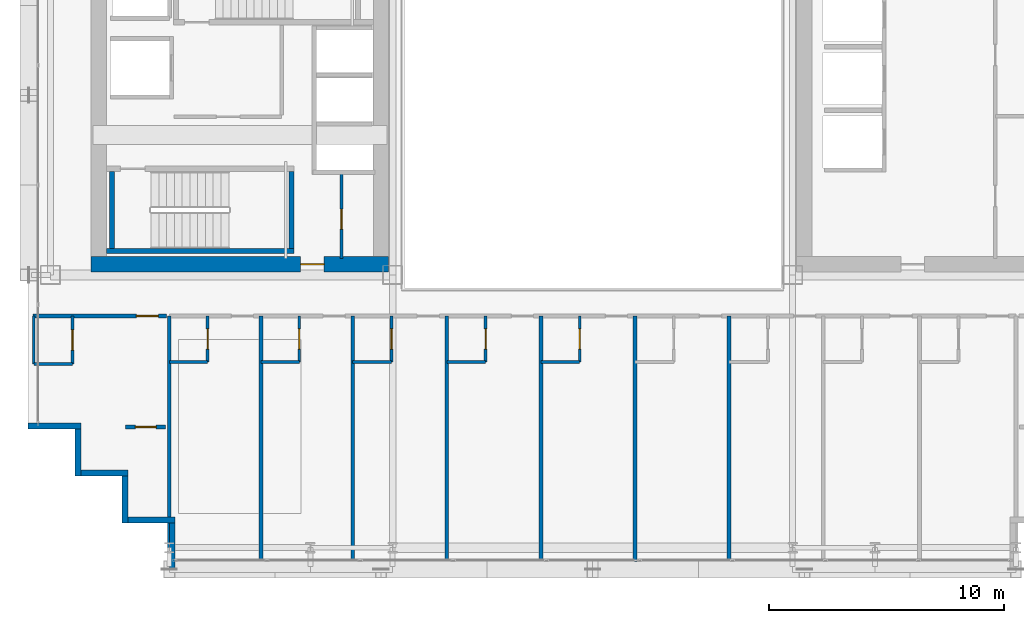
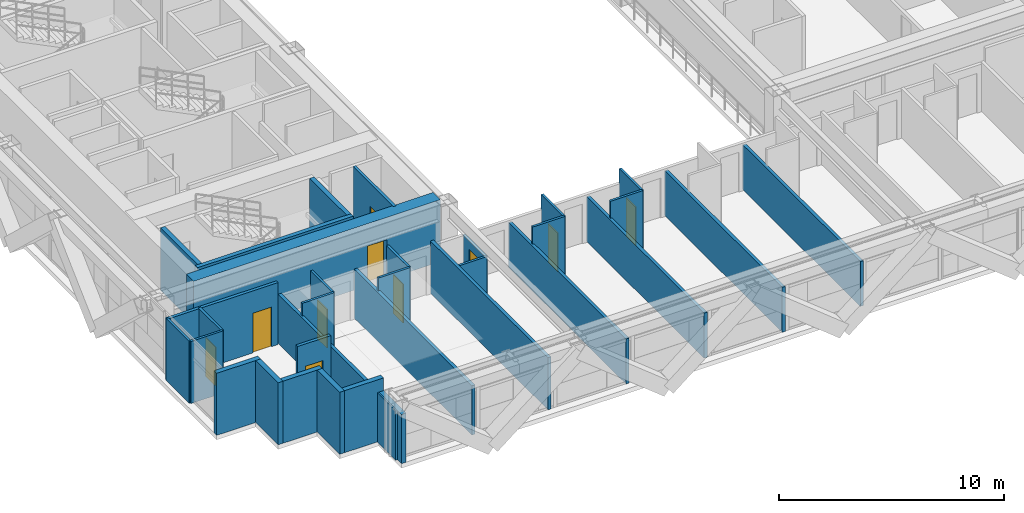
# One storey, part 27 of 36: 33 walls, 10 doors, 10 openings.
"""IFC4 building model written with IfcOpenShell, lengths in metres."""

import ifcopenshell
import ifcopenshell.guid

model = None  # the IFC model being written
_history = None  # IfcOwnerHistory: only IFC2X3 demands one
_inside = {}  # id of a spatial element -> (the spatial element, [elements in it])
_under = {}  # id of a project, library or spatial element -> (it, [spatial elements below it])
_declared = {}  # id of a project -> (the project, [libraries it declares])
_typed = {}  # id of a type object -> (the type object, [elements of that type])
_made_of = {}  # id of a material, layer set ... -> (it, [elements and type objects made of it])


def new_model(schema):
    """Start an empty IFC model of exactly this schema.

    Asked for "IFC4X3", IfcOpenShell would pick the latest addendum, in which some entities
    have other attributes; the version numbers below select the first issue.
    IFC2X3 requires an IfcOwnerHistory on every rooted entity: one is made here for all.
    """
    global model, _history
    if schema == "IFC4X3":
        model = ifcopenshell.file(schema_version=(4, 3, 0, 0))
    else:
        model = ifcopenshell.file(schema=schema)
    _inside.clear()
    _under.clear()
    _declared.clear()
    _typed.clear()
    _made_of.clear()
    _history = None
    if model.schema == "IFC2X3":
        org = make("IfcOrganization", Name="unknown")
        user = make(
            "IfcPersonAndOrganization",
            ThePerson=make("IfcPerson", FamilyName="unknown"),
            TheOrganization=org,
        )
        app = make(
            "IfcApplication",
            ApplicationDeveloper=org,
            Version="unknown",
            ApplicationFullName="unknown",
            ApplicationIdentifier="unknown",
        )
        _history = make(
            "IfcOwnerHistory",
            OwningUser=user,
            OwningApplication=app,
            ChangeAction="ADDED",
            CreationDate=0,
        )
    return model


def make(cls, **values):
    """One entity of the class cls with the attributes given. An attribute that is None is left unset."""
    return model.create_entity(
        cls, **{name: value for name, value in values.items() if value is not None}
    )


def rooted(cls, **values):
    """An entity with a GlobalId (a new one), such as an element, a storey or a relation."""
    return make(cls, GlobalId=ifcopenshell.guid.new(), OwnerHistory=_history, **values)


def si_unit(unit_type, name, prefix=None):
    """IfcSIUnit, for example si_unit("LENGTHUNIT", "METRE", prefix="MILLI")."""
    return make("IfcSIUnit", UnitType=unit_type, Prefix=prefix, Name=name)


def assignment(units):
    """IfcUnitAssignment: the units of a project."""
    return None if units is None else make("IfcUnitAssignment", Units=units)


def point(xyz):
    """IfcCartesianPoint."""
    return None if xyz is None else make("IfcCartesianPoint", Coordinates=xyz)


def direction(xyz):
    """IfcDirection."""
    return None if xyz is None else make("IfcDirection", DirectionRatios=xyz)


def frame(location, z_axis=None, x_axis=None):
    """IfcAxis2Placement3D, a coordinate frame: its origin and axes. An axis left out is left unset."""
    return make(
        "IfcAxis2Placement3D",
        Location=point(location),
        Axis=direction(z_axis),
        RefDirection=direction(x_axis),
    )


def frame_2d(location, x_axis=None):
    """IfcAxis2Placement2D, a coordinate frame in the plane: its origin and x axis."""
    return make(
        "IfcAxis2Placement2D", Location=point(location), RefDirection=direction(x_axis)
    )


def origin():
    """The frame at (0, 0, 0) with its axes left unset."""
    return frame((0.0, 0.0, 0.0))


def place(relative_to, where):
    """IfcLocalPlacement: puts the frame where relative to a parent placement (None: the world)."""
    return make(
        "IfcLocalPlacement", PlacementRelTo=relative_to, RelativePlacement=where
    )


def context(
    kind, dimensions, precision=None, world=None, true_north=None, identifier=None
):
    """IfcGeometricRepresentationContext, for example the 3D "Model" context."""
    return make(
        "IfcGeometricRepresentationContext",
        ContextIdentifier=identifier,
        ContextType=kind,
        CoordinateSpaceDimension=dimensions,
        Precision=precision,
        WorldCoordinateSystem=world,
        TrueNorth=true_north,
    )


def subcontext(parent, identifier, kind, view, scale=None):
    """IfcGeometricRepresentationSubContext, for example "Body" below "Model"."""
    return make(
        "IfcGeometricRepresentationSubContext",
        ContextIdentifier=identifier,
        ContextType=kind,
        ParentContext=parent,
        TargetScale=scale,
        TargetView=view,
    )


def project(units=None, contexts=None):
    """IfcProject with its units and contexts."""
    return rooted(
        "IfcProject",
        Name="project",
        RepresentationContexts=contexts,
        UnitsInContext=assignment(units),
    )


def spatial(cls, under=None, at=None, **own):
    """A site, building, storey or space (cls), placed at a placement, below another one or the project."""
    s = rooted(cls, ObjectPlacement=at, **own)
    if under is not None:
        _under.setdefault(under.id(), (under, []))[1].append(s)
    return s


def profile(cls, at=None, kind="AREA", **sizes):
    """A parametric profile (cls). Its sizes go by their IFC names, for example OverallWidth=200.0."""
    return make(cls, ProfileType=kind, Position=at, **sizes)


def rectangle(**sizes):
    """IfcRectangleProfileDef."""
    return profile("IfcRectangleProfileDef", **sizes)


def extrude(swept, where, along, depth):
    """IfcExtrudedAreaSolid: the profile swept, set in the frame where, extruded along a direction by depth."""
    return make(
        "IfcExtrudedAreaSolid",
        SweptArea=swept,
        Position=where,
        ExtrudedDirection=direction(along),
        Depth=depth,
    )


def shape(context_of_items, identifier, shape_type, items):
    """IfcShapeRepresentation: the items that make up one representation, for example the "Body"."""
    return make(
        "IfcShapeRepresentation",
        ContextOfItems=context_of_items,
        RepresentationIdentifier=identifier,
        RepresentationType=shape_type,
        Items=items,
    )


def source(mapping_origin, context_of_items, identifier, shape_type, items):
    """IfcRepresentationMap: a shape defined once, which mapped items show again and again."""
    return make(
        "IfcRepresentationMap",
        MappingOrigin=mapping_origin,
        MappedRepresentation=shape(context_of_items, identifier, shape_type, items),
    )


def transform(
    local_origin,
    x_axis=None,
    y_axis=None,
    z_axis=None,
    scale=None,
    scale2=None,
    scale3=None,
    uniform=True,
):
    """IfcCartesianTransformationOperator3D, or its non-uniform kind. x_axis, y_axis, z_axis: its Axis1, 2, 3."""
    if uniform:
        return make(
            "IfcCartesianTransformationOperator3D",
            Axis1=direction(x_axis),
            Axis2=direction(y_axis),
            LocalOrigin=point(local_origin),
            Scale=scale,
            Axis3=direction(z_axis),
        )
    return make(
        "IfcCartesianTransformationOperator3DnonUniform",
        Axis1=direction(x_axis),
        Axis2=direction(y_axis),
        LocalOrigin=point(local_origin),
        Scale=scale,
        Axis3=direction(z_axis),
        Scale2=scale2,
        Scale3=scale3,
    )


def mapped(mapping_source, mapping_target):
    """IfcMappedItem: shows the shape of a source again, moved by a transform."""
    return make(
        "IfcMappedItem", MappingSource=mapping_source, MappingTarget=mapping_target
    )


def material(Name=None, Category=None):
    """IfcMaterial."""
    return make("IfcMaterial", Name=Name, Category=Category)


def layer(
    of_material, thickness, ventilated=None, Name=None, Category=None, Priority=None
):
    """IfcMaterialLayer: one layer of a wall or slab, of a material (None: an air gap)."""
    return make(
        "IfcMaterialLayer",
        Material=of_material,
        LayerThickness=thickness,
        IsVentilated=ventilated,
        Name=Name,
        Category=Category,
        Priority=Priority,
    )


def layer_set(layers, Name=None):
    """IfcMaterialLayerSet."""
    return make("IfcMaterialLayerSet", MaterialLayers=layers, LayerSetName=Name)


def made_of(thing, what):
    """Note that an element or type object is made of a material, layer set ...; save() writes the relation."""
    if what is not None:
        _made_of.setdefault(what.id(), (what, []))[1].append(thing)
    return thing


def type_object(cls, material=None, **own):
    """A type object (cls), such as IfcWallType, which elements share."""
    return made_of(rooted(cls, **own), material)


def element(
    cls,
    number,
    at=None,
    inside=None,
    cuts=None,
    type_object=None,
    material=None,
    context=None,
    identifier="Body",
    shape_type=None,
    held_by="IfcProductDefinitionShape",
    body=None,
    shapes=None,
    **own,
):
    """One element of the class cls, such as IfcWall. Its Tag is "e" and its number.

    at: its placement. inside: the storey or other place that contains it. cuts: it is an
    opening in that element (IfcRelVoidsElement). A single representation is given by context,
    identifier, shape_type and body (its items); several are given by shapes. held_by: the class
    of the entity that holds the representations. save() writes the other relations.
    """
    e = rooted(cls, Tag="e%d" % number, ObjectPlacement=at, **own)
    if body is not None:
        shapes = [shape(context, identifier, shape_type, body)]
    if shapes is not None:
        e.Representation = make(held_by, Representations=shapes)
    if inside is not None:
        _inside.setdefault(inside.id(), (inside, []))[1].append(e)
    if cuts is not None:
        rooted(
            "IfcRelVoidsElement", RelatingBuildingElement=cuts, RelatedOpeningElement=e
        )
    if type_object is not None:
        _typed.setdefault(type_object.id(), (type_object, []))[1].append(e)
    return made_of(e, material)


def fill(opening, filler):
    """IfcRelFillsElement: the door or window that sits in an opening."""
    return rooted(
        "IfcRelFillsElement",
        RelatingOpeningElement=opening,
        RelatedBuildingElement=filler,
    )


def aggregate(whole, parts):
    """IfcRelAggregates: a whole, such as a stair, and the parts it consists of."""
    return rooted("IfcRelAggregates", RelatingObject=whole, RelatedObjects=parts)


def save(model, path):
    """Write the relations noted so far, then the file.

    IfcRelAggregates (storeys below a building ...), IfcRelContainedInSpatialStructure (elements
    in a storey), IfcRelDefinesByType, IfcRelAssociatesMaterial and IfcRelDeclares: one each for
    every whole, place, type object, material and project.
    """
    for whole, parts in _under.values():
        aggregate(whole, parts)
    for where, things in _inside.values():
        rooted(
            "IfcRelContainedInSpatialStructure",
            RelatedElements=things,
            RelatingStructure=where,
        )
    for kind, things in _typed.values():
        rooted("IfcRelDefinesByType", RelatedObjects=things, RelatingType=kind)
    for what, things in _made_of.values():
        rooted("IfcRelAssociatesMaterial", RelatedObjects=things, RelatingMaterial=what)
    for by, libraries in _declared.values():
        rooted("IfcRelDeclares", RelatingContext=by, RelatedDefinitions=libraries)
    model.write(path)


model = new_model("IFC4")

# Units and contexts
model_context = context("Model", 3, precision=1e-05, world=origin(), true_north=direction((0.0, 1.0)))
body_context = subcontext(model_context, "Body", "Model", "MODEL_VIEW")
ifc_project = project(units=[si_unit("LENGTHUNIT", "METRE"), si_unit("AREAUNIT", "SQUARE_METRE"), si_unit("VOLUMEUNIT", "CUBIC_METRE"), si_unit("PLANEANGLEUNIT", "RADIAN"), si_unit("MASSUNIT", "GRAM", prefix="KILO")], contexts=[model_context])

# Site, building, storey
site_placement = place(None, origin())
site = spatial("IfcSite", under=ifc_project, at=site_placement, CompositionType="ELEMENT")
building_placement = place(site_placement, origin())
building = spatial("IfcBuilding", under=site, at=building_placement, Name="Ocotamira Hotel", CompositionType="ELEMENT")
storey_placement = place(building_placement, frame((0.0, 0.0, 136.800048828125)))
storey = spatial("IfcBuildingStorey", under=building, at=storey_placement, Name="L34", CompositionType="ELEMENT", Elevation=136.800048828125)

# Wall, opening, door
ifc_material_1 = material(Name="Concrete C60/75", Category="concrete")
ifc_layer_1 = layer(ifc_material_1, 0.64990234375)
ifc_layer_set_1 = layer_set([ifc_layer_1], Name="Concrete C60/75")
wall_type_1 = type_object("IfcWallType", Name="WL-CORE-650", PredefinedType="SHEAR", material=ifc_layer_set_1)
wall_1_placement = place(storey_placement, frame((10.675048828125, 15.0, 0.0), z_axis=(0.0, 0.0, 1.0), x_axis=(1.0, 0.0, 0.0)))
wall_1 = element("IfcWall", 1, at=wall_1_placement, inside=storey, type_object=wall_type_1, Name="L34 Shear Core Wall WCORE-S", PredefinedType="SHEAR", context=body_context, shape_type="SweptSolid", body=[
    extrude(rectangle(XDim=12.64990234375, YDim=0.64990234375, at=frame_2d((6.324951171875, 0.0))), origin(), (0.0, 0.0, 1.0), 3.35986328125),
])
opening_1_placement = place(wall_1_placement, frame((8.905029296875, 0.0, 0.0)))
opening_1 = element("IfcOpeningElement", 2, at=opening_1_placement, cuts=wall_1, Name="Opening D-FR2", PredefinedType="OPENING", context=body_context, shape_type="SweptSolid", body=[
    extrude(rectangle(XDim=1.0, YDim=2.14990234375, at=frame_2d((0.5, 1.074951171875))), frame((0.0, 0.3349609375, 0.0), z_axis=(0.0, -1.0, 0.0), x_axis=(1.0, 0.0, 0.0)), (0.0, 0.0, 1.0), 0.669921875),
])
ifc_material_2 = material(Name="Fire-rated acoustic timber-veneer door", Category="wood")
door_type_1 = type_object("IfcDoorType", Name="DR-FIRE-1000", OperationType="NOTDEFINED", PredefinedType="DOOR", material=ifc_material_2)
shared_shape_1 = source(origin(), body_context, "Body", "SweptSolid", [
    extrude(rectangle(XDim=1.0, YDim=2.14990234375, at=frame_2d((0.5, 1.074951171875))), frame((0.0, 0.02490234375, 0.0), z_axis=(0.0, -1.0, 0.0), x_axis=(1.0, 0.0, 0.0)), (0.0, 0.0, 1.0), 0.050048828125),
])
door_1_placement = place(opening_1_placement, origin())
door_1 = element("IfcDoor", 3, at=door_1_placement, inside=storey, type_object=door_type_1, Name="L34 Door ID-L34-WLOB-S-D [ID-L34-WLOB-S-D]", OperationType="SINGLE_SWING_LEFT", OverallHeight=2.14990234375, OverallWidth=1.0, PredefinedType="DOOR", context=body_context, shape_type="MappedRepresentation", body=[
    mapped(shared_shape_1, transform((0.0, 0.0, 0.0), scale=1.0)),
])
fill(opening_1, door_1)

# Walls
ifc_material_3 = material(Name="Precast concrete C45/55", Category="concrete")
ifc_layer_2 = layer(ifc_material_3, 0.25)
ifc_layer_set_2 = layer_set([ifc_layer_2], Name="Precast concrete C45/55")
wall_type_2 = type_object("IfcWallType", Name="WL-EXT-SER-250", PredefinedType="SOLIDWALL", material=ifc_layer_set_2)
wall_2_placement = place(storey_placement, frame((8.0, 8.125, 0.0), z_axis=(0.0, 0.0, 1.0), x_axis=(1.0, 0.0, 0.0)))
element("IfcWall", 4, at=wall_2_placement, inside=storey, type_object=wall_type_2, Name="L34 Serrated Corner Wall 19", PredefinedType="SOLIDWALL", context=body_context, shape_type="SweptSolid", body=[
    extrude(rectangle(XDim=2.25, YDim=0.25, at=frame_2d((1.125, 0.0))), origin(), (0.0, 0.0, 1.0), 3.35986328125),
])
for number, where, z_axis, x_axis, name in (
    (5, (10.125, 8.0, 0.0), (0.0, 0.0, 1.0), (0.0, -1.0, 0.0), "L34 Serrated Corner Wall 20"),
    (6, (10.25, 6.125, 0.0), (0.0, 0.0, 1.0), (1.0, 0.0, 0.0), "L34 Serrated Corner Wall 21"),
    (7, (12.125, 6.0, 0.0), (0.0, 0.0, 1.0), (0.0, -1.0, 0.0), "L34 Serrated Corner Wall 22"),
    (8, (12.25, 4.125, 0.0), (0.0, 0.0, 1.0), (1.0, 0.0, 0.0), "L34 Serrated Corner Wall 23"),
):
    element("IfcWall", number, at=place(storey_placement, frame(where, z_axis=z_axis, x_axis=x_axis)), inside=storey, type_object=wall_type_2, Name=name, PredefinedType="SOLIDWALL", context=body_context, shape_type="SweptSolid", body=[
        extrude(rectangle(XDim=2.0, YDim=0.25, at=frame_2d((1.0, 0.0))), origin(), (0.0, 0.0, 1.0), 3.35986328125),
    ])
wall_3_placement = place(storey_placement, frame((14.125, 4.0, 0.0), z_axis=(0.0, 0.0, 1.0), x_axis=(0.0, -1.0, 0.0)))
element("IfcWall", 9, at=wall_3_placement, inside=storey, type_object=wall_type_2, Name="L34 Serrated Corner Wall 24", PredefinedType="SOLIDWALL", context=body_context, shape_type="SweptSolid", body=[
    extrude(rectangle(XDim=2.0, YDim=0.25, at=frame_2d((1.0, 0.0))), origin(), (0.0, 0.0, 1.0), 2.6669921875),
])

# Wall, opening, door
ifc_material_4 = material(Name="Acoustic double-layer fire gypsum board partition", Category="gypsum")
ifc_layer_3 = layer(ifc_material_4, 0.159912109375)
ifc_layer_set_3 = layer_set([ifc_layer_3], Name="Acoustic double-layer fire gypsum board partition")
wall_type_3 = type_object("IfcWallType", Name="WL-FIRE-160", PredefinedType="PARTITIONING", material=ifc_layer_set_3)
wall_4_placement = place(storey_placement, frame((8.199951171875, 12.800048828125, 0.0), z_axis=(0.0, 0.0, 1.0), x_axis=(1.0, 0.0, 0.0)))
wall_4 = element("IfcWall", 10, at=wall_4_placement, inside=storey, type_object=wall_type_3, Name="L34 Interior Wall PW-L34-Z2D-CSW-CW", PredefinedType="PARTITIONING", context=body_context, shape_type="SweptSolid", body=[
    extrude(rectangle(XDim=5.679931640625, YDim=0.159912109375, at=frame_2d((2.83984375, 0.0))), origin(), (0.0, 0.0, 1.0), 3.35986328125),
])
opening_2_placement = place(wall_4_placement, frame((4.39990234375, 0.0, 0.0)))
opening_2 = element("IfcOpeningElement", 11, at=opening_2_placement, cuts=wall_4, Name="Opening D-GR1", PredefinedType="OPENING", context=body_context, shape_type="SweptSolid", body=[
    extrude(rectangle(XDim=0.93994140625, YDim=2.14990234375, at=frame_2d((0.469970703125, 1.074951171875))), frame((0.0, 0.08984375, 0.0), z_axis=(0.0, -1.0, 0.0), x_axis=(1.0, 0.0, 0.0)), (0.0, 0.0, 1.0), 0.179931640625),
])
ifc_material_5 = material(Name="Solid-core walnut suite entrance fire door", Category="wood")
door_type_2 = type_object("IfcDoorType", Name="DR-GUEST-940", OperationType="NOTDEFINED", PredefinedType="DOOR", material=ifc_material_5)
shared_shape_2 = source(origin(), body_context, "Body", "SweptSolid", [
    extrude(rectangle(XDim=0.93994140625, YDim=2.14990234375, at=frame_2d((0.469970703125, 1.074951171875))), frame((0.0, 0.02490234375, 0.0), z_axis=(0.0, -1.0, 0.0), x_axis=(1.0, 0.0, 0.0)), (0.0, 0.0, 1.0), 0.050048828125),
])
door_2_placement = place(opening_2_placement, origin())
door_2 = element("IfcDoor", 12, at=door_2_placement, inside=storey, type_object=door_type_2, Name="L34 Door ID-L34-Z2D-CSW-CD [ID-L34-Z2D-CSW-CD]", OperationType="SINGLE_SWING_RIGHT", OverallHeight=2.14990234375, OverallWidth=0.93994140625, PredefinedType="DOOR", context=body_context, shape_type="MappedRepresentation", body=[
    mapped(shared_shape_2, transform((0.0, 0.0, 0.0), scale=1.0)),
])
fill(opening_2, door_2)

wall_5_placement = place(storey_placement, frame((12.14990234375, 8.080078125, 0.0), z_axis=(0.0, 0.0, 1.0), x_axis=(1.0, 0.0, 0.0)))
wall_5 = element("IfcWall", 13, at=wall_5_placement, inside=storey, type_object=wall_type_3, Name="L34 Interior Wall PW-L34-Z2D-CSW2-CW", PredefinedType="PARTITIONING", context=body_context, shape_type="SweptSolid", body=[
    extrude(rectangle(XDim=1.7001953125, YDim=0.159912109375, at=frame_2d((0.85009765625, 0.0))), origin(), (0.0, 0.0, 1.0), 3.35986328125),
])
opening_3_placement = place(wall_5_placement, frame((0.409912109375, 0.0, 0.0)))
opening_3 = element("IfcOpeningElement", 14, at=opening_3_placement, cuts=wall_5, Name="Opening D-SV2", PredefinedType="OPENING", context=body_context, shape_type="SweptSolid", body=[
    extrude(rectangle(XDim=0.8798828125, YDim=2.14990234375, at=frame_2d((0.43994140625, 1.074951171875))), frame((0.0, 0.08984375, 0.0), z_axis=(0.0, -1.0, 0.0), x_axis=(1.0, 0.0, 0.0)), (0.0, 0.0, 1.0), 0.179931640625),
])
ifc_material_6 = material(Name="Fire-rated painted steel service door", Category="steel")
door_type_3 = type_object("IfcDoorType", Name="DR-SERV-880", OperationType="NOTDEFINED", PredefinedType="DOOR", material=ifc_material_6)
shared_shape_3 = source(origin(), body_context, "Body", "SweptSolid", [
    extrude(rectangle(XDim=0.8798828125, YDim=2.14990234375, at=frame_2d((0.43994140625, 1.074951171875))), frame((0.0, 0.02490234375, 0.0), z_axis=(0.0, -1.0, 0.0), x_axis=(1.0, 0.0, 0.0)), (0.0, 0.0, 1.0), 0.050048828125),
])
door_3_placement = place(opening_3_placement, origin())
door_3 = element("IfcDoor", 15, at=door_3_placement, inside=storey, type_object=door_type_3, Name="L34 Door ID-L34-Z2D-CSW2-CD [ID-L34-Z2D-CSW2-CD]", OperationType="SINGLE_SWING_LEFT", OverallHeight=2.14990234375, OverallWidth=0.8798828125, PredefinedType="DOOR", context=body_context, shape_type="MappedRepresentation", body=[
    mapped(shared_shape_3, transform((0.0, 0.0, 0.0), scale=1.0)),
])
fill(opening_3, door_3)

ifc_material_7 = material(Name="Moisture-resistant en-suite tile and gypsum partition", Category="gypsum")
ifc_layer_4 = layer(ifc_material_7, 0.1201171875)
ifc_layer_set_4 = layer_set([ifc_layer_4], Name="Moisture-resistant en-suite tile and gypsum partition")
wall_type_4 = type_object("IfcWallType", Name="WL-PART-120", PredefinedType="PARTITIONING", material=ifc_layer_set_4)
wall_6_placement = place(storey_placement, frame((9.889892578125, 10.760009765625, 0.0), z_axis=(0.0, 0.0, 1.0), x_axis=(0.0, 1.0, 0.0)))
wall_6 = element("IfcWall", 16, at=wall_6_placement, inside=storey, type_object=wall_type_4, Name="L34 Interior Wall PW-L34-Z2D-CSW-BE", PredefinedType="PARTITIONING", context=body_context, shape_type="SweptSolid", body=[
    extrude(rectangle(XDim=2.0400390625, YDim=0.1201171875, at=frame_2d((1.02001953125, 0.0))), origin(), (0.0, 0.0, 1.0), 3.35986328125),
])
opening_4_placement = place(wall_6_placement, frame((0.590087890625, 0.0, 0.0)))
opening_4 = element("IfcOpeningElement", 17, at=opening_4_placement, cuts=wall_6, Name="Opening D-BA1", PredefinedType="OPENING", context=body_context, shape_type="SweptSolid", body=[
    extrude(rectangle(XDim=0.860107421875, YDim=2.10009765625, at=frame_2d((0.43017578125, 1.050048828125))), frame((0.0, 0.070068359375, 0.0), z_axis=(0.0, -1.0, 0.0), x_axis=(1.0, 0.0, 0.0)), (0.0, 0.0, 1.0), 0.14013671875),
])
ifc_material_8 = material(Name="Moisture-sealed en-suite timber door", Category="wood")
door_type_4 = type_object("IfcDoorType", Name="DR-BATH-860", OperationType="NOTDEFINED", PredefinedType="DOOR", material=ifc_material_8)
shared_shape_4 = source(origin(), body_context, "Body", "SweptSolid", [
    extrude(rectangle(XDim=0.860107421875, YDim=2.10009765625, at=frame_2d((0.43017578125, 1.050048828125))), frame((0.0, 0.02490234375, 0.0), z_axis=(0.0, -1.0, 0.0), x_axis=(1.0, 0.0, 0.0)), (0.0, 0.0, 1.0), 0.050048828125),
])
door_4_placement = place(opening_4_placement, origin())
door_4 = element("IfcDoor", 18, at=door_4_placement, inside=storey, type_object=door_type_4, Name="L34 Door ID-L34-Z2D-CSW-BD [ID-L34-Z2D-CSW-BD]", OperationType="SINGLE_SWING_LEFT", OverallHeight=2.10009765625, OverallWidth=0.860107421875, PredefinedType="DOOR", context=body_context, shape_type="MappedRepresentation", body=[
    mapped(shared_shape_4, transform((0.0, 0.0, 0.0), scale=1.0)),
])
fill(opening_4, door_4)

# Walls
wall_7_placement = place(storey_placement, frame((8.239990234375, 10.760009765625, 0.0), z_axis=(0.0, 0.0, 1.0), x_axis=(0.0, 1.0, 0.0)))
element("IfcWall", 19, at=wall_7_placement, inside=storey, type_object=wall_type_4, Name="L34 Interior Wall PW-L34-Z2D-CSW-BW", PredefinedType="PARTITIONING", context=body_context, shape_type="SweptSolid", body=[
    extrude(rectangle(XDim=2.0400390625, YDim=0.1201171875, at=frame_2d((1.02001953125, 0.0))), origin(), (0.0, 0.0, 1.0), 3.35986328125),
])
wall_8_placement = place(storey_placement, frame((8.239990234375, 10.760009765625, 0.0), z_axis=(0.0, 0.0, 1.0), x_axis=(1.0, 0.0, 0.0)))
element("IfcWall", 20, at=wall_8_placement, inside=storey, type_object=wall_type_4, Name="L34 Interior Wall PW-L34-Z2D-CSW-BH", PredefinedType="PARTITIONING", context=body_context, shape_type="SweptSolid", body=[
    extrude(rectangle(XDim=1.64990234375, YDim=0.1201171875, at=frame_2d((0.824951171875, 0.0))), origin(), (0.0, 0.0, 1.0), 3.35986328125),
])

# Wall, opening, door
wall_9_placement = place(storey_placement, frame((15.6298828125, 10.85009765625, 0.0), z_axis=(0.0, 0.0, 1.0), x_axis=(0.0, 1.0, 0.0)))
wall_9 = element("IfcWall", 21, at=wall_9_placement, inside=storey, type_object=wall_type_4, Name="L34 Interior Wall PW-L34-Z2DS-BAE1", PredefinedType="PARTITIONING", context=body_context, shape_type="SweptSolid", body=[
    extrude(rectangle(XDim=1.949951171875, YDim=0.1201171875, at=frame_2d((0.97509765625, 0.0))), origin(), (0.0, 0.0, 1.0), 3.35986328125),
])
opening_5_placement = place(wall_9_placement, frame((0.544921875, 0.0, 0.0)))
opening_5 = element("IfcOpeningElement", 22, at=opening_5_placement, cuts=wall_9, Name="Opening D-BA1", PredefinedType="OPENING", context=body_context, shape_type="SweptSolid", body=[
    extrude(rectangle(XDim=0.860107421875, YDim=2.10009765625, at=frame_2d((0.43017578125, 1.050048828125))), frame((0.0, 0.070068359375, 0.0), z_axis=(0.0, -1.0, 0.0), x_axis=(1.0, 0.0, 0.0)), (0.0, 0.0, 1.0), 0.14013671875),
])
door_5_placement = place(opening_5_placement, origin())
door_5 = element("IfcDoor", 23, at=door_5_placement, inside=storey, type_object=door_type_4, Name="L34 Door ID-L34-Z2DS-BAD1 [ID-L34-Z2DS-BAD1]", OperationType="SINGLE_SWING_RIGHT", OverallHeight=2.10009765625, OverallWidth=0.860107421875, PredefinedType="DOOR", context=body_context, shape_type="MappedRepresentation", body=[
    mapped(shared_shape_4, transform((0.0, 0.0, 0.0), scale=1.0)),
])
fill(opening_5, door_5)

# Wall
wall_10_placement = place(storey_placement, frame((14.0, 10.85009765625, 0.0), z_axis=(0.0, 0.0, 1.0), x_axis=(1.0, 0.0, 0.0)))
element("IfcWall", 24, at=wall_10_placement, inside=storey, type_object=wall_type_4, Name="L34 Interior Wall PW-L34-Z2DS-BAS1", PredefinedType="PARTITIONING", context=body_context, shape_type="SweptSolid", body=[
    extrude(rectangle(XDim=1.6298828125, YDim=0.1201171875, at=frame_2d((0.81494140625, 0.0))), origin(), (0.0, 0.0, 1.0), 3.35986328125),
])

# Wall, opening, door
wall_11_placement = place(storey_placement, frame((19.530029296875, 10.85009765625, 0.0), z_axis=(0.0, 0.0, 1.0), x_axis=(0.0, 1.0, 0.0)))
wall_11 = element("IfcWall", 25, at=wall_11_placement, inside=storey, type_object=wall_type_4, Name="L34 Interior Wall PW-L34-Z2DS-BAE2", PredefinedType="PARTITIONING", context=body_context, shape_type="SweptSolid", body=[
    extrude(rectangle(XDim=1.949951171875, YDim=0.1201171875, at=frame_2d((0.97509765625, 0.0))), origin(), (0.0, 0.0, 1.0), 3.35986328125),
])
opening_6_placement = place(wall_11_placement, frame((0.544921875, 0.0, 0.0)))
opening_6 = element("IfcOpeningElement", 26, at=opening_6_placement, cuts=wall_11, Name="Opening D-BA1", PredefinedType="OPENING", context=body_context, shape_type="SweptSolid", body=[
    extrude(rectangle(XDim=0.860107421875, YDim=2.10009765625, at=frame_2d((0.43017578125, 1.050048828125))), frame((0.0, 0.070068359375, 0.0), z_axis=(0.0, -1.0, 0.0), x_axis=(1.0, 0.0, 0.0)), (0.0, 0.0, 1.0), 0.14013671875),
])
door_6_placement = place(opening_6_placement, origin())
door_6 = element("IfcDoor", 27, at=door_6_placement, inside=storey, type_object=door_type_4, Name="L34 Door ID-L34-Z2DS-BAD2 [ID-L34-Z2DS-BAD2]", OperationType="SINGLE_SWING_LEFT", OverallHeight=2.10009765625, OverallWidth=0.860107421875, PredefinedType="DOOR", context=body_context, shape_type="MappedRepresentation", body=[
    mapped(shared_shape_4, transform((0.0, 0.0, 0.0), scale=1.0)),
])
fill(opening_6, door_6)

# Wall
wall_12_placement = place(storey_placement, frame((17.89990234375, 10.85009765625, 0.0), z_axis=(0.0, 0.0, 1.0), x_axis=(1.0, 0.0, 0.0)))
element("IfcWall", 28, at=wall_12_placement, inside=storey, type_object=wall_type_4, Name="L34 Interior Wall PW-L34-Z2DS-BAS2", PredefinedType="PARTITIONING", context=body_context, shape_type="SweptSolid", body=[
    extrude(rectangle(XDim=1.630126953125, YDim=0.1201171875, at=frame_2d((0.81494140625, 0.0))), origin(), (0.0, 0.0, 1.0), 3.35986328125),
])

# Wall, opening, door
wall_13_placement = place(storey_placement, frame((23.449951171875, 10.85009765625, 0.0), z_axis=(0.0, 0.0, 1.0), x_axis=(0.0, 1.0, 0.0)))
wall_13 = element("IfcWall", 29, at=wall_13_placement, inside=storey, type_object=wall_type_4, Name="L34 Interior Wall PW-L34-Z2DS-BAE3", PredefinedType="PARTITIONING", context=body_context, shape_type="SweptSolid", body=[
    extrude(rectangle(XDim=1.949951171875, YDim=0.1201171875, at=frame_2d((0.97509765625, 0.0))), origin(), (0.0, 0.0, 1.0), 2.5810546875),
])
opening_7_placement = place(wall_13_placement, frame((0.544921875, 0.0, 0.0)))
opening_7 = element("IfcOpeningElement", 30, at=opening_7_placement, cuts=wall_13, Name="Opening D-BA1", PredefinedType="OPENING", context=body_context, shape_type="SweptSolid", body=[
    extrude(rectangle(XDim=0.860107421875, YDim=2.10009765625, at=frame_2d((0.43017578125, 1.050048828125))), frame((0.0, 0.070068359375, 0.0), z_axis=(0.0, -1.0, 0.0), x_axis=(1.0, 0.0, 0.0)), (0.0, 0.0, 1.0), 0.14013671875),
])
door_7_placement = place(opening_7_placement, origin())
door_7 = element("IfcDoor", 31, at=door_7_placement, inside=storey, type_object=door_type_4, Name="L34 Door ID-L34-Z2DS-BAD3 [ID-L34-Z2DS-BAD3]", OperationType="SINGLE_SWING_RIGHT", OverallHeight=2.10009765625, OverallWidth=0.860107421875, PredefinedType="DOOR", context=body_context, shape_type="MappedRepresentation", body=[
    mapped(shared_shape_4, transform((0.0, 0.0, 0.0), scale=1.0)),
])
fill(opening_7, door_7)

# Wall
wall_14_placement = place(storey_placement, frame((21.800048828125, 10.85009765625, 0.0), z_axis=(0.0, 0.0, 1.0), x_axis=(1.0, 0.0, 0.0)))
element("IfcWall", 32, at=wall_14_placement, inside=storey, type_object=wall_type_4, Name="L34 Interior Wall PW-L34-Z2DS-BAS3", PredefinedType="PARTITIONING", context=body_context, shape_type="SweptSolid", body=[
    extrude(rectangle(XDim=1.64990234375, YDim=0.1201171875, at=frame_2d((0.824951171875, 0.0))), origin(), (0.0, 0.0, 1.0), 2.5810546875),
])

# Wall, opening, door
wall_15_placement = place(storey_placement, frame((27.449951171875, 10.85009765625, 0.0), z_axis=(0.0, 0.0, 1.0), x_axis=(0.0, 1.0, 0.0)))
wall_15 = element("IfcWall", 33, at=wall_15_placement, inside=storey, type_object=wall_type_4, Name="L34 Interior Wall PW-L34-Z2DS-BAE4", PredefinedType="PARTITIONING", context=body_context, shape_type="SweptSolid", body=[
    extrude(rectangle(XDim=1.949951171875, YDim=0.1201171875, at=frame_2d((0.97509765625, 0.0))), origin(), (0.0, 0.0, 1.0), 3.35986328125),
])
opening_8_placement = place(wall_15_placement, frame((0.544921875, 0.0, 0.0)))
opening_8 = element("IfcOpeningElement", 34, at=opening_8_placement, cuts=wall_15, Name="Opening D-BA1", PredefinedType="OPENING", context=body_context, shape_type="SweptSolid", body=[
    extrude(rectangle(XDim=0.860107421875, YDim=2.10009765625, at=frame_2d((0.43017578125, 1.050048828125))), frame((0.0, 0.070068359375, 0.0), z_axis=(0.0, -1.0, 0.0), x_axis=(1.0, 0.0, 0.0)), (0.0, 0.0, 1.0), 0.14013671875),
])
door_8_placement = place(opening_8_placement, origin())
door_8 = element("IfcDoor", 35, at=door_8_placement, inside=storey, type_object=door_type_4, Name="L34 Door ID-L34-Z2DS-BAD4 [ID-L34-Z2DS-BAD4]", OperationType="SINGLE_SWING_LEFT", OverallHeight=2.10009765625, OverallWidth=0.860107421875, PredefinedType="DOOR", context=body_context, shape_type="MappedRepresentation", body=[
    mapped(shared_shape_4, transform((0.0, 0.0, 0.0), scale=1.0)),
])
fill(opening_8, door_8)

# Wall
wall_16_placement = place(storey_placement, frame((25.800048828125, 10.85009765625, 0.0), z_axis=(0.0, 0.0, 1.0), x_axis=(1.0, 0.0, 0.0)))
element("IfcWall", 36, at=wall_16_placement, inside=storey, type_object=wall_type_4, Name="L34 Interior Wall PW-L34-Z2DS-BAS4", PredefinedType="PARTITIONING", context=body_context, shape_type="SweptSolid", body=[
    extrude(rectangle(XDim=1.64990234375, YDim=0.1201171875, at=frame_2d((0.824951171875, 0.0))), origin(), (0.0, 0.0, 1.0), 3.35986328125),
])

# Wall, opening, door
wall_17_placement = place(storey_placement, frame((31.449951171875, 10.85009765625, 0.0), z_axis=(0.0, 0.0, 1.0), x_axis=(0.0, 1.0, 0.0)))
wall_17 = element("IfcWall", 37, at=wall_17_placement, inside=storey, type_object=wall_type_4, Name="L34 Interior Wall PW-L34-Z2DS-BAE5", PredefinedType="PARTITIONING", context=body_context, shape_type="SweptSolid", body=[
    extrude(rectangle(XDim=1.949951171875, YDim=0.1201171875, at=frame_2d((0.97509765625, 0.0))), origin(), (0.0, 0.0, 1.0), 3.35986328125),
])
opening_9_placement = place(wall_17_placement, frame((0.544921875, 0.0, 0.0)))
opening_9 = element("IfcOpeningElement", 38, at=opening_9_placement, cuts=wall_17, Name="Opening D-BA1", PredefinedType="OPENING", context=body_context, shape_type="SweptSolid", body=[
    extrude(rectangle(XDim=0.860107421875, YDim=2.10009765625, at=frame_2d((0.43017578125, 1.050048828125))), frame((0.0, 0.070068359375, 0.0), z_axis=(0.0, -1.0, 0.0), x_axis=(1.0, 0.0, 0.0)), (0.0, 0.0, 1.0), 0.14013671875),
])
door_9_placement = place(opening_9_placement, origin())
door_9 = element("IfcDoor", 39, at=door_9_placement, inside=storey, type_object=door_type_4, Name="L34 Door ID-L34-Z2DS-BAD5 [ID-L34-Z2DS-BAD5]", OperationType="SINGLE_SWING_RIGHT", OverallHeight=2.10009765625, OverallWidth=0.860107421875, PredefinedType="DOOR", context=body_context, shape_type="MappedRepresentation", body=[
    mapped(shared_shape_4, transform((0.0, 0.0, 0.0), scale=1.0)),
])
fill(opening_9, door_9)

# Wall
wall_18_placement = place(storey_placement, frame((29.800048828125, 10.85009765625, 0.0), z_axis=(0.0, 0.0, 1.0), x_axis=(1.0, 0.0, 0.0)))
element("IfcWall", 40, at=wall_18_placement, inside=storey, type_object=wall_type_4, Name="L34 Interior Wall PW-L34-Z2DS-BAS5", PredefinedType="PARTITIONING", context=body_context, shape_type="SweptSolid", body=[
    extrude(rectangle(XDim=1.64990234375, YDim=0.1201171875, at=frame_2d((0.824951171875, 0.0))), origin(), (0.0, 0.0, 1.0), 3.35986328125),
])

# Wall, opening, door
ifc_material_9 = material(Name="Acoustic hospitality gypsum board partition", Category="gypsum")
ifc_layer_5 = layer(ifc_material_9, 0.14208984375)
ifc_layer_set_5 = layer_set([ifc_layer_5], Name="Acoustic hospitality gypsum board partition")
wall_type_5 = type_object("IfcWallType", Name="WL-PART-142", PredefinedType="PARTITIONING", material=ifc_layer_set_5)
wall_19_placement = place(storey_placement, frame((21.320068359375, 15.25, 0.0), z_axis=(0.0, 0.0, 1.0), x_axis=(0.0, 1.0, 0.0)))
wall_19 = element("IfcWall", 41, at=wall_19_placement, inside=storey, type_object=wall_type_5, Name="L34 Interior Wall PW-L34-WC-SE-W", PredefinedType="PARTITIONING", context=body_context, shape_type="SweptSolid", body=[
    extrude(rectangle(XDim=3.590087890625, YDim=0.14208984375, at=frame_2d((1.794921875, 0.0))), origin(), (0.0, 0.0, 1.0), 3.35986328125),
])
opening_10_placement = place(wall_19_placement, frame((1.25, 0.0, 0.0)))
opening_10 = element("IfcOpeningElement", 42, at=opening_10_placement, cuts=wall_19, Name="Opening D-SV1", PredefinedType="OPENING", context=body_context, shape_type="SweptSolid", body=[
    extrude(rectangle(XDim=0.840087890625, YDim=2.10009765625, at=frame_2d((0.419921875, 1.050048828125))), frame((0.0, 0.0810546875, 0.0), z_axis=(0.0, -1.0, 0.0), x_axis=(1.0, 0.0, 0.0)), (0.0, 0.0, 1.0), 0.162109375),
])
door_type_5 = type_object("IfcDoorType", Name="DR-SERV-840", OperationType="NOTDEFINED", PredefinedType="DOOR", material=ifc_material_6)
shared_shape_5 = source(origin(), body_context, "Body", "SweptSolid", [
    extrude(rectangle(XDim=0.840087890625, YDim=2.10009765625, at=frame_2d((0.419921875, 1.050048828125))), frame((0.0, 0.02490234375, 0.0), z_axis=(0.0, -1.0, 0.0), x_axis=(1.0, 0.0, 0.0)), (0.0, 0.0, 1.0), 0.050048828125),
])
door_10_placement = place(opening_10_placement, origin())
door_10 = element("IfcDoor", 43, at=door_10_placement, inside=storey, type_object=door_type_5, Name="L34 Door ID-L34-WC-SE-D [ID-L34-WC-SE-D]", OperationType="SINGLE_SWING_RIGHT", OverallHeight=2.10009765625, OverallWidth=0.840087890625, PredefinedType="DOOR", context=body_context, shape_type="MappedRepresentation", body=[
    mapped(shared_shape_5, transform((0.0, 0.0, 0.0), scale=1.0)),
])
fill(opening_10, door_10)

# Walls
ifc_material_10 = material(Name="Acoustic double-stud hospitality gypsum partition", Category="gypsum")
ifc_layer_6 = layer(ifc_material_10, 0.159912109375)
ifc_layer_set_6 = layer_set([ifc_layer_6], Name="Acoustic double-stud hospitality gypsum partition")
wall_type_6 = type_object("IfcWallType", Name="WL-PART-160", PredefinedType="PARTITIONING", material=ifc_layer_set_6)
for number, where, z_axis, x_axis, name in (
    (44, (14.0, 2.360107421875, 0.0), (0.0, 0.0, 1.0), (0.0, 1.0, 0.0), "L34 Interior Wall PW-L34-Z2DS-PW0"),
    (45, (17.89990234375, 2.360107421875, 0.0), (0.0, 0.0, 1.0), (0.0, 1.0, 0.0), "L34 Interior Wall PW-L34-Z2DS-PW1"),
):
    element("IfcWall", number, at=place(storey_placement, frame(where, z_axis=z_axis, x_axis=x_axis)), inside=storey, type_object=wall_type_6, Name=name, PredefinedType="PARTITIONING", context=body_context, shape_type="SweptSolid", body=[
        extrude(rectangle(XDim=10.43994140625, YDim=0.159912109375, at=frame_2d((5.219970703125, 0.0))), origin(), (0.0, 0.0, 1.0), 2.6669921875),
    ])
wall_20_placement = place(storey_placement, frame((21.800048828125, 2.360107421875, 0.0), z_axis=(0.0, 0.0, 1.0), x_axis=(0.0, 1.0, 0.0)))
element("IfcWall", 46, at=wall_20_placement, inside=storey, type_object=wall_type_6, Name="L34 Interior Wall PW-L34-Z2DS-PW2", PredefinedType="PARTITIONING", context=body_context, shape_type="SweptSolid", body=[
    extrude(rectangle(XDim=10.43994140625, YDim=0.159912109375, at=frame_2d((5.219970703125, 0.0))), origin(), (0.0, 0.0, 1.0), 2.822998046875),
])
for number, where, z_axis, x_axis, name in (
    (47, (25.800048828125, 2.360107421875, 0.0), (0.0, 0.0, 1.0), (0.0, 1.0, 0.0), "L34 Interior Wall PW-L34-Z2DS-PW3"),
    (48, (29.800048828125, 2.360107421875, 0.0), (0.0, 0.0, 1.0), (0.0, 1.0, 0.0), "L34 Interior Wall PW-L34-Z2DS-PW4"),
    (49, (33.800048828125, 2.360107421875, 0.0), (0.0, 0.0, 1.0), (0.0, 1.0, 0.0), "L34 Interior Wall PW-L34-Z2DS-PW5"),
    (50, (37.800048828125, 2.360107421875, 0.0), (0.0, 0.0, 1.0), (0.0, 1.0, 0.0), "L34 Interior Wall PW-L34-Z2DS-PW6"),
):
    element("IfcWall", number, at=place(storey_placement, frame(where, z_axis=z_axis, x_axis=x_axis)), inside=storey, type_object=wall_type_6, Name=name, PredefinedType="PARTITIONING", context=body_context, shape_type="SweptSolid", body=[
        extrude(rectangle(XDim=10.43994140625, YDim=0.159912109375, at=frame_2d((5.219970703125, 0.0))), origin(), (0.0, 0.0, 1.0), 2.432861328125),
    ])
ifc_material_11 = material(Name="Concrete C50/60", Category="concrete")
ifc_layer_7 = layer(ifc_material_11, 0.219970703125)
ifc_layer_set_7 = layer_set([ifc_layer_7], Name="Concrete C50/60")
wall_type_7 = type_object("IfcWallType", Name="WL-STAIR-220", PredefinedType="SHEAR", material=ifc_layer_set_7)
wall_21_placement = place(storey_placement, frame((11.324951171875, 15.56005859375, 0.0), z_axis=(0.0, 0.0, 1.0), x_axis=(1.0, 0.0, 0.0)))
element("IfcWall", 51, at=wall_21_placement, inside=storey, type_object=wall_type_7, Name="L34 Stair Shaft Structural Wall ST-1-S", PredefinedType="SHEAR", context=body_context, shape_type="SweptSolid", body=[
    extrude(rectangle(XDim=7.985107421875, YDim=0.219970703125, at=frame_2d((3.99267578125, 0.0))), origin(), (0.0, 0.0, 1.0), 3.39990234375),
])
for number, where, z_axis, x_axis, name in (
    (52, (11.56005859375, 15.669921875, 0.0), (0.0, 0.0, 1.0), (0.0, 1.0, 0.0), "L34 Stair Shaft Structural Wall ST-1-W"),
    (53, (19.199951171875, 15.669921875, 0.0), (0.0, 0.0, 1.0), (0.0, 1.0, 0.0), "L34 Stair Shaft Structural Wall ST-1-E"),
):
    element("IfcWall", number, at=place(storey_placement, frame(where, z_axis=z_axis, x_axis=x_axis)), inside=storey, type_object=wall_type_7, Name=name, PredefinedType="SHEAR", context=body_context, shape_type="SweptSolid", body=[
        extrude(rectangle(XDim=3.280029296875, YDim=0.219970703125, at=frame_2d((1.64013671875, 0.0))), origin(), (0.0, 0.0, 1.0), 3.39990234375),
    ])

save(model, "model.ifc")
